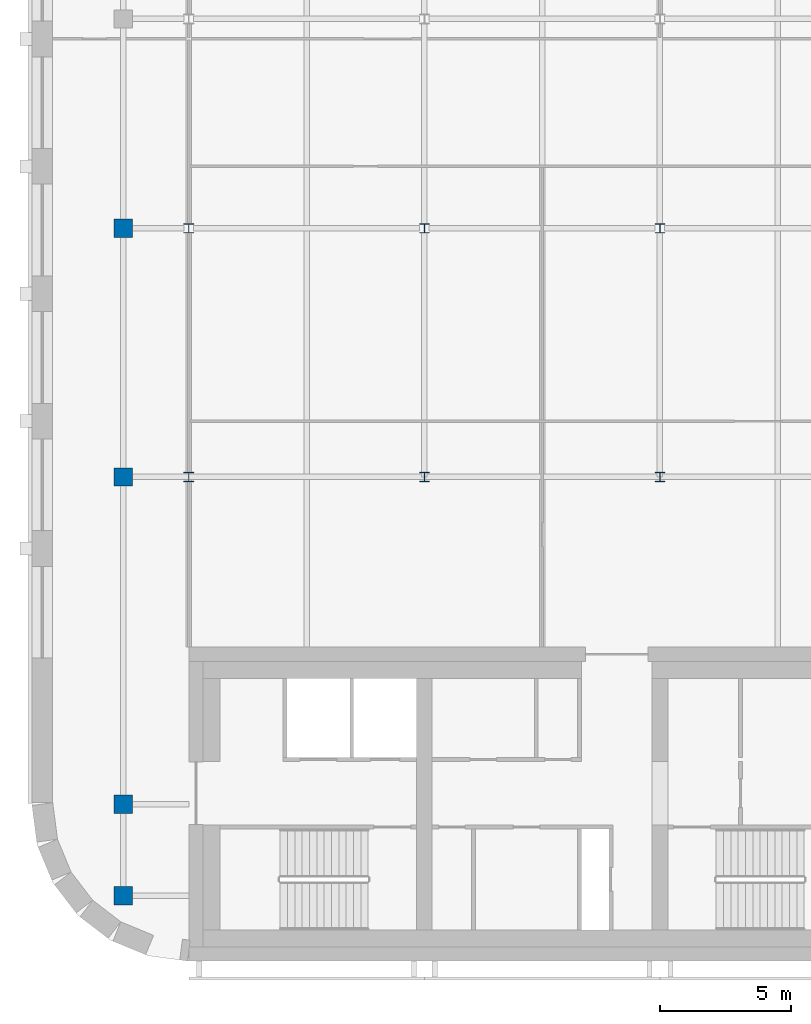
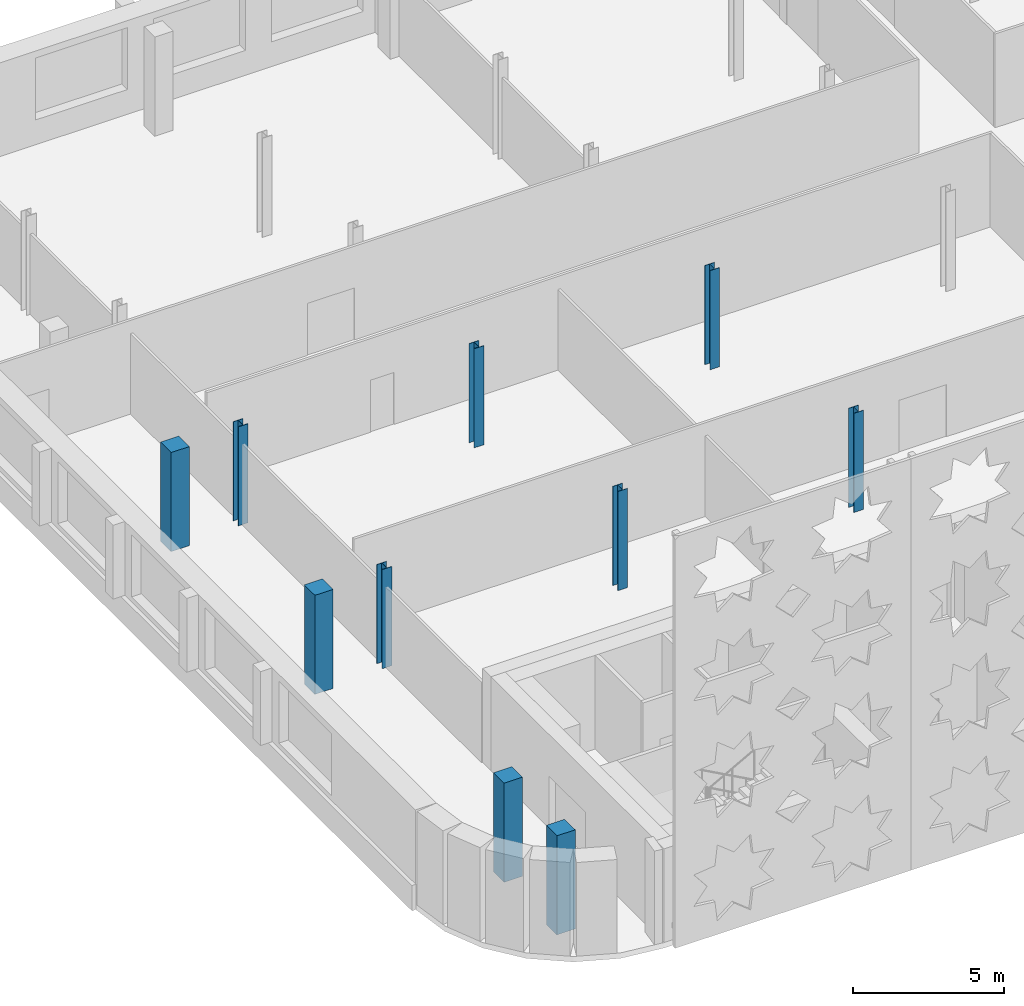
# One storey, part 1 of 14: 10 columns.
"""IFC4 building model written with IfcOpenShell, lengths in metres."""

from ifc_helpers import new_model, si_unit, direction, frame, origin, origin_2d, place, context, subcontext, project, spatial, rectangle, i_section, extrude, material, material_profile, profile_set, type_object, element, save


model = new_model("IFC4")

# Units and contexts
model_context = context("Model", 3, precision=1e-05, world=origin(), true_north=direction((0.0, 1.0)))
body_context = subcontext(model_context, "Body", "Model", "MODEL_VIEW")
ifc_project = project(units=[si_unit("LENGTHUNIT", "METRE"), si_unit("AREAUNIT", "SQUARE_METRE"), si_unit("VOLUMEUNIT", "CUBIC_METRE"), si_unit("PLANEANGLEUNIT", "RADIAN"), si_unit("MASSUNIT", "GRAM", prefix="KILO")], contexts=[model_context])

# Site, building, storey
site_placement = place(None, origin())
site = spatial("IfcSite", under=ifc_project, at=site_placement, CompositionType="ELEMENT")
building_placement = place(site_placement, origin())
building = spatial("IfcBuilding", under=site, at=building_placement, Name="Zellij Exchange Tower", CompositionType="ELEMENT")
storey_placement = place(building_placement, frame((0.0, 0.0, 288.5)))
storey = spatial("IfcBuildingStorey", under=building, at=storey_placement, Name="L68", CompositionType="ELEMENT", Elevation=288.5)

# Columns
ifc_material_1 = material(Name="Concrete C50/60", Category="concrete")
ifc_material_profile_1 = material_profile(ifc_material_1, rectangle(XDim=0.699951171875, YDim=0.699951171875, at=origin_2d()), Name="STR-COLUMN RC700x700 C50/60")
ifc_profile_set_1 = profile_set([ifc_material_profile_1], Name="Concrete C50/60")
column_type_1 = type_object("IfcColumnType", Name="STR-COLUMN RC700x700 C50/60", PredefinedType="COLUMN", material=ifc_profile_set_1)
for number, where, z_axis, x_axis, name in (
    (1, (-29.5, -11.5, 0.0), (0.0, 0.0, 1.0), (1.0, 0.0, 0.0), "C14"),
    (2, (-29.5, -8.0, 0.0), (0.0, 0.0, 1.0), (1.0, 0.0, 0.0), "C14"),
    (3, (-29.5, 4.5, 0.0), (0.0, 0.0, 1.0), (1.0, 0.0, 0.0), "C14"),
    (4, (-29.5, 14.0, 0.0), (0.0, 0.0, 1.0), (1.0, 0.0, 0.0), "C14"),
):
    element("IfcColumn", number, at=place(storey_placement, frame(where, z_axis=z_axis, x_axis=x_axis)), inside=storey, type_object=column_type_1, Name=name, PredefinedType="COLUMN", context=body_context, shape_type="SweptSolid", body=[
        extrude(rectangle(XDim=0.699951171875, YDim=0.699951171875, at=origin_2d()), origin(), (0.0, 0.0, 1.0), 4.0),
    ])
ifc_material_2 = material(Name="Structural steel ASTM A992 Gr 50", Category="steel")
ifc_material_profile_2 = material_profile(ifc_material_2, i_section(OverallWidth=0.368408203125, OverallDepth=0.355712890625, WebThickness=0.01123046875, FlangeThickness=0.01806640625, at=origin_2d()), Name="W14x90")
ifc_profile_set_2 = profile_set([ifc_material_profile_2], Name="Structural steel ASTM A992 Gr 50")
column_type_2 = type_object("IfcColumnType", Name="STR-COLUMN W14x90", PredefinedType="COLUMN", material=ifc_profile_set_2)
for number, where, z_axis, x_axis, name in (
    (5, (-27.0, 4.5, 0.0), (0.0, 0.0, 1.0), (1.0, 0.0, 0.0), "C8"),
    (6, (-18.0, 4.5, 0.0), (0.0, 0.0, 1.0), (1.0, 0.0, 0.0), "C8"),
    (7, (-9.0, 4.5, 0.0), (0.0, 0.0, 1.0), (1.0, 0.0, 0.0), "C8"),
    (8, (-27.0, 14.0, 0.0), (0.0, 0.0, 1.0), (1.0, 0.0, 0.0), "C8"),
    (9, (-18.0, 14.0, 0.0), (0.0, 0.0, 1.0), (1.0, 0.0, 0.0), "C8"),
    (10, (-9.0, 14.0, 0.0), (0.0, 0.0, 1.0), (1.0, 0.0, 0.0), "C8"),
):
    element("IfcColumn", number, at=place(storey_placement, frame(where, z_axis=z_axis, x_axis=x_axis)), inside=storey, type_object=column_type_2, Name=name, PredefinedType="COLUMN", context=body_context, shape_type="SweptSolid", body=[
        extrude(i_section(OverallWidth=0.368408203125, OverallDepth=0.355712890625, WebThickness=0.01123046875, FlangeThickness=0.01806640625, at=origin_2d()), origin(), (0.0, 0.0, 1.0), 4.0),
    ])

save(model, "model.ifc")
